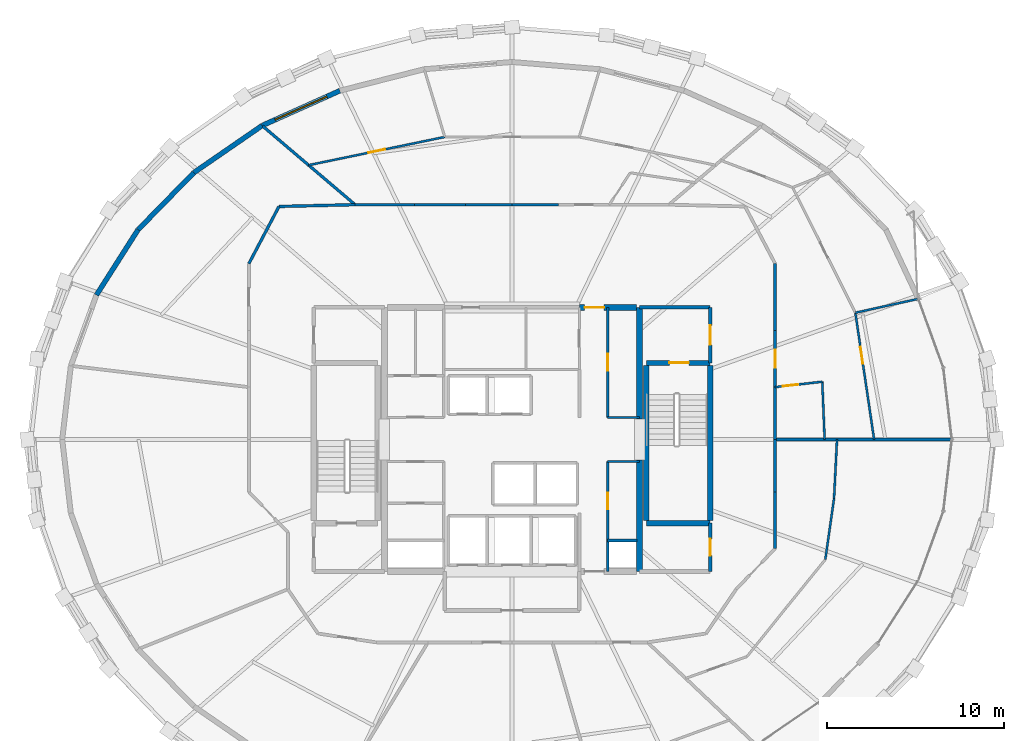
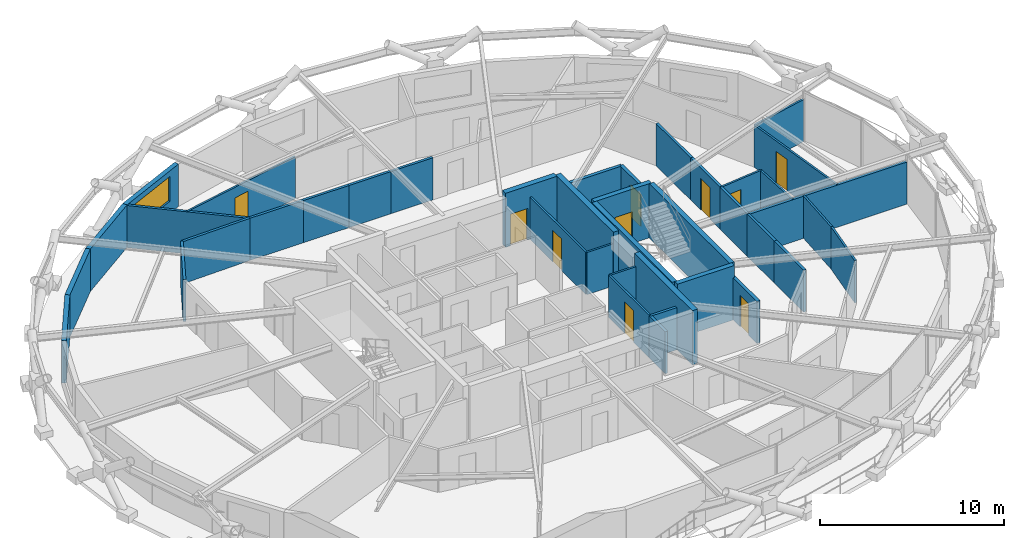
# One storey, part 14 of 16: 40 walls, 10 doors, 1 window, 11 openings.
"""IFC4 building model written with IfcOpenShell, lengths in metres."""

from ifc_helpers import new_model, si_unit, direction, frame, frame_2d, origin, place, context, subcontext, project, spatial, rectangle, extrude, material, layer, layer_set, type_object, element, fill, save


model = new_model("IFC4")

# Units and contexts
model_context = context("Model", 3, precision=1e-05, world=origin(), true_north=direction((0.0, 1.0)))
body_context = subcontext(model_context, "Body", "Model", "MODEL_VIEW")
ifc_project = project(units=[si_unit("LENGTHUNIT", "METRE"), si_unit("AREAUNIT", "SQUARE_METRE"), si_unit("VOLUMEUNIT", "CUBIC_METRE"), si_unit("PLANEANGLEUNIT", "RADIAN"), si_unit("MASSUNIT", "GRAM", prefix="KILO")], contexts=[model_context])

# Site, building, storey
site_placement = place(None, origin())
site = spatial("IfcSite", under=ifc_project, at=site_placement, CompositionType="ELEMENT")
building_placement = place(site_placement, origin())
building = spatial("IfcBuilding", under=site, at=building_placement, Name="Veldorina Hangang Commons", CompositionType="ELEMENT")
storey_placement = place(building_placement, frame((0.0, 0.0, 185.60009765625)))
storey = spatial("IfcBuildingStorey", under=building, at=storey_placement, Name="L48", CompositionType="ELEMENT", Elevation=185.60009765625)

# Walls
ifc_material_1 = material(Name="Concrete C60/75", Category="concrete")
ifc_layer_1 = layer(ifc_material_1, 0.340087890625)
ifc_layer_set_1 = layer_set([ifc_layer_1], Name="Concrete C60/75")
wall_type_1 = type_object("IfcWallType", Name="CW-RC340-C60", PredefinedType="SHEAR", material=ifc_layer_set_1)
for number, where, z_axis, x_axis, name in (
    (1, (39.199951171875, 16.550048828125, 0.0), (0.0, 0.0, 1.0), (0.0, 1.0, 0.0), "L48 E south core shear wall"),
    (2, (39.199951171875, 25.14990234375, 0.0), (0.0, 0.0, 1.0), (0.0, 1.0, 0.0), "L48 E north core shear wall"),
):
    element("IfcWall", number, at=place(storey_placement, frame(where, z_axis=z_axis, x_axis=x_axis)), inside=storey, type_object=wall_type_1, Name=name, PredefinedType="SHEAR", context=body_context, shape_type="SweptSolid", body=[
        extrude(rectangle(XDim=6.300048828125, YDim=0.340087890625, at=frame_2d((3.14990234375, 0.0))), origin(), (0.0, 0.0, 1.0), 3.599853515625),
    ])

# Wall, opening, door
wall_1_placement = place(storey_placement, frame((35.800048828125, 31.449951171875, 0.0), z_axis=(0.0, 0.0, 1.0), x_axis=(1.0, 0.0, 0.0)))
wall_1 = element("IfcWall", 3, at=wall_1_placement, inside=storey, type_object=wall_type_1, Name="L48 north-east core shear wall", PredefinedType="SHEAR", context=body_context, shape_type="SweptSolid", body=[
    extrude(rectangle(XDim=3.22998046875, YDim=0.340087890625, at=frame_2d((1.614990234375, 0.0))), origin(), (0.0, 0.0, 1.0), 3.599853515625),
])
opening_1_placement = place(wall_1_placement, frame((0.300048828125, 0.0, 0.0)))
opening_1 = element("IfcOpeningElement", 4, at=opening_1_placement, cuts=wall_1, Name="Opening D-08", PredefinedType="OPENING", context=body_context, shape_type="SweptSolid", body=[
    extrude(rectangle(XDim=1.10009765625, YDim=2.10009765625, at=frame_2d((0.550048828125, 1.050048828125))), frame((0.0, 0.18017578125, 0.0), z_axis=(0.0, -1.0, 0.0), x_axis=(1.0, 0.0, 0.0)), (0.0, 0.0, 1.0), 0.360107421875),
])
ifc_material_2 = material(Name="Steel Fire-Rated Smoke Seal", Category="steel")
door_type_1 = type_object("IfcDoorType", Name="DR-FIRE-1100", OperationType="SINGLE_SWING_RIGHT", PredefinedType="DOOR", material=ifc_material_2)
door_1_placement = place(opening_1_placement, origin())
door_1 = element("IfcDoor", 5, at=door_1_placement, inside=storey, type_object=door_type_1, Name="L48 central lift lobby north corridor door", OperationType="SINGLE_SWING_LEFT", OverallHeight=2.10009765625, OverallWidth=1.10009765625, PredefinedType="DOOR", context=body_context, shape_type="SweptSolid", body=[
    extrude(rectangle(XDim=1.10009765625, YDim=2.10009765625, at=frame_2d((0.550048828125, 1.050048828125))), frame((0.0, 0.02490234375, 0.0), z_axis=(0.0, -1.0, 0.0), x_axis=(1.0, 0.0, 0.0)), (0.0, 0.0, 1.0), 0.050048828125),
])
fill(opening_1, door_1)

# Wall, opening, window
ifc_material_3 = material(Name="Stone Roman Travertine", Category="masonry")
ifc_layer_2 = layer(ifc_material_3, 0.280029296875)
ifc_layer_set_2 = layer_set([ifc_layer_2], Name="Stone Roman Travertine")
wall_type_2 = type_object("IfcWallType", Name="EW-TRAV-280", PredefinedType="STANDARD", material=ifc_layer_set_2)
wall_2_placement = place(storey_placement, frame((22.2861328125, 43.681884765625, 0.0), z_axis=(0.0, 0.0, 1.0), x_axis=(-0.91240998906, -0.409277426525, 0.0)))
wall_2 = element("IfcWall", 6, at=wall_2_placement, inside=storey, type_object=wall_type_2, Name="L48 travertine facade wall 10", PredefinedType="STANDARD", context=body_context, shape_type="SweptSolid", body=[
    extrude(rectangle(XDim=4.809814453125, YDim=0.280029296875, at=frame_2d((2.40478515625, 0.0))), origin(), (0.0, 0.0, 1.0), 2.81982421875),
])
opening_2_placement = place(wall_2_placement, frame((0.804931640625, 0.0, 0.800048828125)))
opening_2 = element("IfcOpeningElement", 7, at=opening_2_placement, cuts=wall_2, Name="Opening W-01", PredefinedType="OPENING", context=body_context, shape_type="SweptSolid", body=[
    extrude(rectangle(XDim=3.199951171875, YDim=1.64990234375, at=frame_2d((1.60009765625, 0.824951171875))), frame((0.0, 0.14990234375, 0.0), z_axis=(0.0, -1.0, 0.0), x_axis=(1.0, 0.0, 0.0)), (0.0, 0.0, 1.0), 0.300048828125),
])
ifc_material_4 = material(Name="Glass Low-E Triple IGU", Category="glass")
window_type = type_object("IfcWindowType", Name="WIN-TWR-3200", PartitioningType="SINGLE_PANEL", PredefinedType="WINDOW", material=ifc_material_4)
window_placement = place(opening_2_placement, origin())
window = element("IfcWindow", 8, at=window_placement, inside=storey, type_object=window_type, Name="L48 facade window 10", OverallHeight=1.64990234375, OverallWidth=3.199951171875, PartitioningType="SINGLE_PANEL", PredefinedType="WINDOW", context=body_context, shape_type="SweptSolid", body=[
    extrude(rectangle(XDim=3.199951171875, YDim=1.64990234375, at=frame_2d((1.60009765625, 0.824951171875))), frame((0.0, 0.030029296875, 0.0), z_axis=(0.0, -1.0, 0.0), x_axis=(1.0, 0.0, 0.0)), (0.0, 0.0, 1.0), 0.06005859375),
])
fill(opening_2, window)

# Walls
wall_3_placement = place(storey_placement, frame((17.897705078125, 41.71337890625, 0.0), z_axis=(0.0, 0.0, 1.0), x_axis=(-0.823542873284, -0.567254031157, 0.0)))
element("IfcWall", 9, at=wall_3_placement, inside=storey, type_object=wall_type_2, Name="L48 travertine facade wall 11", PredefinedType="STANDARD", context=body_context, shape_type="SweptSolid", body=[
    extrude(rectangle(XDim=4.670654296875, YDim=0.280029296875, at=frame_2d((2.33544921875, 0.0))), origin(), (0.0, 0.0, 1.0), 2.81982421875),
])
wall_4_placement = place(storey_placement, frame((14.05126953125, 39.06396484375, 0.0), z_axis=(0.0, 0.0, 1.0), x_axis=(-0.699140974596, -0.714983844322, 0.0)))
element("IfcWall", 10, at=wall_4_placement, inside=storey, type_object=wall_type_2, Name="L48 travertine facade wall 12", PredefinedType="STANDARD", context=body_context, shape_type="SweptSolid", body=[
    extrude(rectangle(XDim=4.51513671875, YDim=0.280029296875, at=frame_2d((2.257568359375, 0.0))), origin(), (0.0, 0.0, 1.0), 2.81982421875),
])
wall_5_placement = place(storey_placement, frame((10.89453125, 35.835693359375, 0.0), z_axis=(0.0, 0.0, 1.0), x_axis=(-0.537186580304, -0.843463441971, 0.0)))
element("IfcWall", 11, at=wall_5_placement, inside=storey, type_object=wall_type_2, Name="L48 travertine facade wall 13", PredefinedType="STANDARD", context=body_context, shape_type="SweptSolid", body=[
    extrude(rectangle(XDim=4.36669921875, YDim=0.280029296875, at=frame_2d((2.183349609375, 0.0))), origin(), (0.0, 0.0, 1.0), 2.81982421875),
])
ifc_material_5 = material(Name="Concrete C50/60", Category="concrete")
ifc_layer_3 = layer(ifc_material_5, 0.300048828125)
ifc_layer_set_3 = layer_set([ifc_layer_3], Name="Concrete C50/60")
wall_type_3 = type_object("IfcWallType", Name="SW-STAIR-300", PredefinedType="SHEAR", material=ifc_layer_set_3)
for number, where, z_axis, x_axis, name in (
    (12, (43.179931640625, 19.429931640625, 0.0), (0.0, 0.0, 1.0), (0.0, 1.0, 0.0), "L48 ST2 outer stair shear wall"),
    (13, (39.580078125, 19.429931640625, 0.0), (0.0, 0.0, 1.0), (0.0, 1.0, 0.0), "L48 ST2 inner stair shear wall"),
):
    element("IfcWall", number, at=place(storey_placement, frame(where, z_axis=z_axis, x_axis=x_axis)), inside=storey, type_object=wall_type_3, Name=name, PredefinedType="SHEAR", context=body_context, shape_type="SweptSolid", body=[
        extrude(rectangle(XDim=8.739990234375, YDim=0.300048828125, at=frame_2d((4.3701171875, 0.0))), origin(), (0.0, 0.0, 1.0), 3.599853515625),
    ])
wall_6_placement = place(storey_placement, frame((39.580078125, 19.280029296875, 0.0), z_axis=(0.0, 0.0, 1.0), x_axis=(1.0, 0.0, 0.0)))
element("IfcWall", 14, at=wall_6_placement, inside=storey, type_object=wall_type_3, Name="L48 ST2 south stair shear wall", PredefinedType="SHEAR", context=body_context, shape_type="SweptSolid", body=[
    extrude(rectangle(XDim=3.599853515625, YDim=0.300048828125, at=frame_2d((1.7998046875, 0.0))), origin(), (0.0, 0.0, 1.0), 3.599853515625),
])

# Wall, opening, door
wall_7_placement = place(storey_placement, frame((39.580078125, 28.320068359375, 0.0), z_axis=(0.0, 0.0, 1.0), x_axis=(1.0, 0.0, 0.0)))
wall_7 = element("IfcWall", 15, at=wall_7_placement, inside=storey, type_object=wall_type_3, Name="L48 ST2 north stair shear wall", PredefinedType="SHEAR", context=body_context, shape_type="SweptSolid", body=[
    extrude(rectangle(XDim=3.599853515625, YDim=0.300048828125, at=frame_2d((1.7998046875, 0.0))), origin(), (0.0, 0.0, 1.0), 3.599853515625),
])
opening_3_placement = place(wall_7_placement, frame((1.300048828125, 0.0, 0.0)))
opening_3 = element("IfcOpeningElement", 16, at=opening_3_placement, cuts=wall_7, Name="Opening D-08", PredefinedType="OPENING", context=body_context, shape_type="SweptSolid", body=[
    extrude(rectangle(XDim=1.10009765625, YDim=2.10009765625, at=frame_2d((0.550048828125, 1.050048828125))), frame((0.0, 0.16015625, 0.0), z_axis=(0.0, -1.0, 0.0), x_axis=(1.0, 0.0, 0.0)), (0.0, 0.0, 1.0), 0.320068359375),
])
door_2_placement = place(opening_3_placement, origin())
door_2 = element("IfcDoor", 17, at=door_2_placement, inside=storey, type_object=door_type_1, Name="L48 Special Escape Stair ST-2 door", OperationType="SINGLE_SWING_RIGHT", OverallHeight=2.10009765625, OverallWidth=1.10009765625, PredefinedType="DOOR", context=body_context, shape_type="SweptSolid", body=[
    extrude(rectangle(XDim=1.10009765625, YDim=2.10009765625, at=frame_2d((0.550048828125, 1.050048828125))), frame((0.0, 0.02490234375, 0.0), z_axis=(0.0, -1.0, 0.0), x_axis=(1.0, 0.0, 0.0)), (0.0, 0.0, 1.0), 0.050048828125),
])
fill(opening_3, door_2)

# Walls
ifc_material_6 = material(Name="Gypsum Fire-Rated Twin Stud Wall", Category="gypsum")
ifc_layer_4 = layer(ifc_material_6, 0.159912109375)
ifc_layer_set_4 = layer_set([ifc_layer_4], Name="Gypsum Fire-Rated Twin Stud Wall")
wall_type_4 = type_object("IfcWallType", Name="WL-FIRE-160", PredefinedType="SOLIDWALL", material=ifc_layer_set_4)
wall_8_placement = place(storey_placement, frame((37.39990234375, 16.550048828125, 0.0), z_axis=(0.0, 0.0, 1.0), x_axis=(0.0, 1.0, 0.0)))
element("IfcWall", 18, at=wall_8_placement, inside=storey, type_object=wall_type_4, Name="L48 Lift passage SE stub 010", PredefinedType="SOLIDWALL", context=body_context, shape_type="SweptSolid", body=[
    extrude(rectangle(XDim=1.75, YDim=0.159912109375, at=frame_2d((0.875, 0.0))), origin(), (0.0, 0.0, 1.0), 2.7998046875),
])
wall_9_placement = place(storey_placement, frame((37.39990234375, 18.300048828125, 0.0), z_axis=(0.0, 0.0, 1.0), x_axis=(1.0, 0.0, 0.0)))
element("IfcWall", 19, at=wall_9_placement, inside=storey, type_object=wall_type_4, Name="L48 Plumbing riser wall 037", PredefinedType="SOLIDWALL", context=body_context, shape_type="SweptSolid", body=[
    extrude(rectangle(XDim=1.650146484375, YDim=0.159912109375, at=frame_2d((0.8251953125, 0.0))), origin(), (0.0, 0.0, 1.0), 2.7998046875),
])
wall_10_placement = place(storey_placement, frame((46.85009765625, 24.0, 0.0), z_axis=(0.0, 0.0, 1.0), x_axis=(0.0, 1.0, 0.0)))
element("IfcWall", 20, at=wall_10_placement, inside=storey, type_object=wall_type_4, Name="L48 U-corridor outer wall 00 048", PredefinedType="SOLIDWALL", context=body_context, shape_type="SweptSolid", body=[
    extrude(rectangle(XDim=2.953857421875, YDim=0.159912109375, at=frame_2d((1.47705078125, 0.0))), origin(), (0.0, 0.0, 1.0), 2.7998046875),
])

# Wall, opening, door
wall_11_placement = place(storey_placement, frame((46.85009765625, 26.953857421875, 0.0), z_axis=(0.0, 0.0, 1.0), x_axis=(0.0, 1.0, 0.0)))
wall_11 = element("IfcWall", 21, at=wall_11_placement, inside=storey, type_object=wall_type_4, Name="L48 U-corridor outer wall 01 049", PredefinedType="SOLIDWALL", context=body_context, shape_type="SweptSolid", body=[
    extrude(rectangle(XDim=3.197265625, YDim=0.159912109375, at=frame_2d((1.5986328125, 0.0))), origin(), (0.0, 0.0, 1.0), 2.7998046875),
])
opening_4_placement = place(wall_11_placement, frame((1.0986328125, 0.0, 0.0)))
opening_4 = element("IfcOpeningElement", 22, at=opening_4_placement, cuts=wall_11, Name="Opening D-06", PredefinedType="OPENING", context=body_context, shape_type="SweptSolid", body=[
    extrude(rectangle(XDim=1.0, YDim=2.10009765625, at=frame_2d((0.5, 1.050048828125))), frame((0.0, 0.08984375, 0.0), z_axis=(0.0, -1.0, 0.0), x_axis=(1.0, 0.0, 0.0)), (0.0, 0.0, 1.0), 0.179931640625),
])
ifc_material_7 = material(Name="Timber Fire-Rated Entrance Core", Category="wood")
door_type_2 = type_object("IfcDoorType", Name="DR-UNIT-1000", OperationType="SINGLE_SWING_LEFT", PredefinedType="DOOR", material=ifc_material_7)
door_3_placement = place(opening_4_placement, origin())
door_3 = element("IfcDoor", 23, at=door_3_placement, inside=storey, type_object=door_type_2, Name="L48 Cluster 2 entrance door 023", OperationType="SINGLE_SWING_LEFT", OverallHeight=2.10009765625, OverallWidth=1.0, PredefinedType="DOOR", context=body_context, shape_type="SweptSolid", body=[
    extrude(rectangle(XDim=1.0, YDim=2.10009765625, at=frame_2d((0.5, 1.050048828125))), frame((0.0, 0.02490234375, 0.0), z_axis=(0.0, -1.0, 0.0), x_axis=(1.0, 0.0, 0.0)), (0.0, 0.0, 1.0), 0.050048828125),
])
fill(opening_4, door_3)

# Walls
wall_12_placement = place(storey_placement, frame((46.85009765625, 30.151123046875, 0.0), z_axis=(0.0, 0.0, 1.0), x_axis=(0.0, 1.0, 0.0)))
element("IfcWall", 24, at=wall_12_placement, inside=storey, type_object=wall_type_4, Name="L48 U-corridor outer wall 02 050", PredefinedType="SOLIDWALL", context=body_context, shape_type="SweptSolid", body=[
    extrude(rectangle(XDim=3.771484375, YDim=0.159912109375, at=frame_2d((1.8857421875, 0.0))), origin(), (0.0, 0.0, 1.0), 2.7998046875),
])
for number, where, z_axis, x_axis, name in (
    (25, (34.635498046875, 37.25, 0.0), (0.0, 0.0, 1.0), (-1.0, 0.0, 0.0), "L48 U-corridor outer wall 07 055"),
    (26, (32.0, 37.25, 0.0), (0.0, 0.0, 1.0), (-1.0, 0.0, 0.0), "L48 U-corridor outer wall 08 056"),
):
    element("IfcWall", number, at=place(storey_placement, frame(where, z_axis=z_axis, x_axis=x_axis)), inside=storey, type_object=wall_type_4, Name=name, PredefinedType="SOLIDWALL", context=body_context, shape_type="SweptSolid", body=[
        extrude(rectangle(XDim=2.635498046875, YDim=0.159912109375, at=frame_2d((1.31787109375, 0.0))), origin(), (0.0, 0.0, 1.0), 2.7998046875),
    ])
wall_13_placement = place(storey_placement, frame((29.364501953125, 37.25, 0.0), z_axis=(0.0, 0.0, 1.0), x_axis=(-1.0, 0.0, 0.0)))
element("IfcWall", 27, at=wall_13_placement, inside=storey, type_object=wall_type_4, Name="L48 U-corridor outer wall 09 057", PredefinedType="SOLIDWALL", context=body_context, shape_type="SweptSolid", body=[
    extrude(rectangle(XDim=2.852783203125, YDim=0.159912109375, at=frame_2d((1.42626953125, 0.0))), origin(), (0.0, 0.0, 1.0), 2.7998046875),
])
wall_14_placement = place(storey_placement, frame((26.51171875, 37.25, 0.0), z_axis=(0.0, 0.0, 1.0), x_axis=(-1.0, 0.0, 0.0)))
element("IfcWall", 28, at=wall_14_placement, inside=storey, type_object=wall_type_4, Name="L48 U-corridor outer wall 10 058", PredefinedType="SOLIDWALL", context=body_context, shape_type="SweptSolid", body=[
    extrude(rectangle(XDim=3.365234375, YDim=0.159912109375, at=frame_2d((1.6826171875, 0.0))), origin(), (0.0, 0.0, 1.0), 2.7998046875),
])
wall_15_placement = place(storey_placement, frame((23.146484375, 37.25, 0.0), z_axis=(0.0, 0.0, 1.0), x_axis=(-0.999728709658, -0.023291781507, 0.0)))
element("IfcWall", 29, at=wall_15_placement, inside=storey, type_object=wall_type_4, Name="L48 U-corridor outer wall 11 059", PredefinedType="SOLIDWALL", context=body_context, shape_type="SweptSolid", body=[
    extrude(rectangle(XDim=4.297607421875, YDim=0.159912109375, at=frame_2d((2.14892578125, 0.0))), origin(), (0.0, 0.0, 1.0), 2.7998046875),
])
wall_16_placement = place(storey_placement, frame((18.85009765625, 37.14990234375, 0.0), z_axis=(0.0, 0.0, 1.0), x_axis=(-0.466093963429, -0.884735224378, 0.0)))
element("IfcWall", 30, at=wall_16_placement, inside=storey, type_object=wall_type_4, Name="L48 U-corridor outer wall 12 060", PredefinedType="SOLIDWALL", context=body_context, shape_type="SweptSolid", body=[
    extrude(rectangle(XDim=3.647705078125, YDim=0.159912109375, at=frame_2d((1.82373046875, 0.0))), origin(), (0.0, 0.0, 1.0), 2.7998046875),
])
wall_17_placement = place(storey_placement, frame((46.85009765625, 17.848876953125, 0.0), z_axis=(0.0, 0.0, 1.0), x_axis=(0.0, 1.0, 0.0)))
element("IfcWall", 31, at=wall_17_placement, inside=storey, type_object=wall_type_4, Name="L48 U-corridor outer wall 30 078", PredefinedType="SOLIDWALL", context=body_context, shape_type="SweptSolid", body=[
    extrude(rectangle(XDim=3.197265625, YDim=0.159912109375, at=frame_2d((1.5986328125, 0.0))), origin(), (0.0, 0.0, 1.0), 2.7998046875),
])
wall_18_placement = place(storey_placement, frame((46.85009765625, 21.046142578125, 0.0), z_axis=(0.0, 0.0, 1.0), x_axis=(0.0, 1.0, 0.0)))
element("IfcWall", 32, at=wall_18_placement, inside=storey, type_object=wall_type_4, Name="L48 U-corridor outer wall 31 079", PredefinedType="SOLIDWALL", context=body_context, shape_type="SweptSolid", body=[
    extrude(rectangle(XDim=2.953857421875, YDim=0.159912109375, at=frame_2d((1.47705078125, 0.0))), origin(), (0.0, 0.0, 1.0), 2.7998046875),
])
wall_19_placement = place(storey_placement, frame((46.85009765625, 24.0, 0.0), z_axis=(0.0, 0.0, 1.0), x_axis=(1.0, 0.0, 0.0)))
element("IfcWall", 33, at=wall_19_placement, inside=storey, type_object=wall_type_4, Name="L48 Unit party wall 00 086", PredefinedType="SOLIDWALL", context=body_context, shape_type="SweptSolid", body=[
    extrude(rectangle(XDim=9.92333984375, YDim=0.159912109375, at=frame_2d((4.961669921875, 0.0))), origin(), (0.0, 0.0, 1.0), 2.7998046875),
])
wall_20_placement = place(storey_placement, frame((23.146484375, 37.25, 0.0), z_axis=(0.0, 0.0, 1.0), x_axis=(-0.761808080293, 0.647802785421, 0.0)))
element("IfcWall", 34, at=wall_20_placement, inside=storey, type_object=wall_type_4, Name="L48 Unit party wall 11 102", PredefinedType="SOLIDWALL", context=body_context, shape_type="SweptSolid", body=[
    extrude(rectangle(XDim=6.83984375, YDim=0.159912109375, at=frame_2d((3.419921875, 0.0))), origin(), (0.0, 0.0, 1.0), 2.7998046875),
])

# Wall, opening, door
ifc_material_8 = material(Name="Concrete Blockwork Fire Wall C30/37", Category="masonry")
ifc_layer_5 = layer(ifc_material_8, 0.199951171875)
ifc_layer_set_5 = layer_set([ifc_layer_5], Name="Concrete Blockwork Fire Wall C30/37")
wall_type_5 = type_object("IfcWallType", Name="WL-FIRE-200", PredefinedType="SOLIDWALL", material=ifc_layer_set_5)
wall_21_placement = place(storey_placement, frame((43.179931640625, 28.320068359375, 0.0), z_axis=(0.0, 0.0, 1.0), x_axis=(0.0, 1.0, 0.0)))
wall_21 = element("IfcWall", 35, at=wall_21_placement, inside=storey, type_object=wall_type_5, Name="L48 East vestibule outer wall 003", PredefinedType="SOLIDWALL", context=body_context, shape_type="SweptSolid", body=[
    extrude(rectangle(XDim=3.1298828125, YDim=0.199951171875, at=frame_2d((1.56494140625, 0.0))), origin(), (0.0, 0.0, 1.0), 2.7998046875),
])
opening_5_placement = place(wall_21_placement, frame((1.014892578125, 0.0, 0.0)))
opening_5 = element("IfcOpeningElement", 36, at=opening_5_placement, cuts=wall_21, Name="Opening D-08", PredefinedType="OPENING", context=body_context, shape_type="SweptSolid", body=[
    extrude(rectangle(XDim=1.10009765625, YDim=2.10009765625, at=frame_2d((0.550048828125, 1.050048828125))), frame((0.0, 0.10986328125, 0.0), z_axis=(0.0, -1.0, 0.0), x_axis=(1.0, 0.0, 0.0)), (0.0, 0.0, 1.0), 0.219970703125),
])
door_4_placement = place(opening_5_placement, origin())
door_4 = element("IfcDoor", 37, at=door_4_placement, inside=storey, type_object=door_type_1, Name="L48 East vestibule east door 002", OperationType="SINGLE_SWING_RIGHT", OverallHeight=2.10009765625, OverallWidth=1.10009765625, PredefinedType="DOOR", context=body_context, shape_type="SweptSolid", body=[
    extrude(rectangle(XDim=1.10009765625, YDim=2.10009765625, at=frame_2d((0.550048828125, 1.050048828125))), frame((0.0, 0.02490234375, 0.0), z_axis=(0.0, -1.0, 0.0), x_axis=(1.0, 0.0, 0.0)), (0.0, 0.0, 1.0), 0.050048828125),
])
fill(opening_5, door_4)

# Wall
wall_22_placement = place(storey_placement, frame((39.199951171875, 31.449951171875, 0.0), z_axis=(0.0, 0.0, 1.0), x_axis=(1.0, 0.0, 0.0)))
element("IfcWall", 38, at=wall_22_placement, inside=storey, type_object=wall_type_5, Name="L48 East vestibule north wall 004", PredefinedType="SOLIDWALL", context=body_context, shape_type="SweptSolid", body=[
    extrude(rectangle(XDim=3.97998046875, YDim=0.199951171875, at=frame_2d((1.989990234375, 0.0))), origin(), (0.0, 0.0, 1.0), 2.7998046875),
])

# Wall, opening, door
wall_23_placement = place(storey_placement, frame((43.179931640625, 16.550048828125, 0.0), z_axis=(0.0, 0.0, 1.0), x_axis=(0.0, 1.0, 0.0)))
wall_23 = element("IfcWall", 39, at=wall_23_placement, inside=storey, type_object=wall_type_5, Name="L48 SE core room outer wall 007", PredefinedType="SOLIDWALL", context=body_context, shape_type="SweptSolid", body=[
    extrude(rectangle(XDim=2.72998046875, YDim=0.199951171875, at=frame_2d((1.364990234375, 0.0))), origin(), (0.0, 0.0, 1.0), 2.7998046875),
])
opening_6_placement = place(wall_23_placement, frame((0.889892578125, 0.0, 0.0)))
opening_6 = element("IfcOpeningElement", 40, at=opening_6_placement, cuts=wall_23, Name="Opening D-02", PredefinedType="OPENING", context=body_context, shape_type="SweptSolid", body=[
    extrude(rectangle(XDim=0.949951171875, YDim=2.10009765625, at=frame_2d((0.47509765625, 1.050048828125))), frame((0.0, 0.10986328125, 0.0), z_axis=(0.0, -1.0, 0.0), x_axis=(1.0, 0.0, 0.0)), (0.0, 0.0, 1.0), 0.219970703125),
])
ifc_material_9 = material(Name="Timber Solid Core Acoustic", Category="wood")
door_type_3 = type_object("IfcDoorType", Name="DR-INT-950", OperationType="SINGLE_SWING_LEFT", PredefinedType="DOOR", material=ifc_material_9)
door_5_placement = place(opening_6_placement, origin())
door_5 = element("IfcDoor", 41, at=door_5_placement, inside=storey, type_object=door_type_3, Name="L48 SE core WC door 004", OperationType="SINGLE_SWING_RIGHT", OverallHeight=2.10009765625, OverallWidth=0.949951171875, PredefinedType="DOOR", context=body_context, shape_type="SweptSolid", body=[
    extrude(rectangle(XDim=0.949951171875, YDim=2.10009765625, at=frame_2d((0.47509765625, 1.050048828125))), frame((0.0, 0.02490234375, 0.0), z_axis=(0.0, -1.0, 0.0), x_axis=(1.0, 0.0, 0.0)), (0.0, 0.0, 1.0), 0.050048828125),
])
fill(opening_6, door_5)

ifc_material_10 = material(Name="Gypsum Acoustic Stud Partition", Category="gypsum")
ifc_layer_6 = layer(ifc_material_10, 0.1201171875)
ifc_layer_set_6 = layer_set([ifc_layer_6], Name="Gypsum Acoustic Stud Partition")
wall_type_6 = type_object("IfcWallType", Name="WL-PART-120", PredefinedType="PARTITIONING", material=ifc_layer_set_6)
wall_24_placement = place(storey_placement, frame((37.39990234375, 25.25, 0.0), z_axis=(0.0, 0.0, 1.0), x_axis=(0.0, 1.0, 0.0)))
wall_24 = element("IfcWall", 42, at=wall_24_placement, inside=storey, type_object=wall_type_6, Name="L48 NE strip lobby wall 041", PredefinedType="PARTITIONING", context=body_context, shape_type="SweptSolid", body=[
    extrude(rectangle(XDim=6.199951171875, YDim=0.1201171875, at=frame_2d((3.10009765625, 0.0))), origin(), (0.0, 0.0, 1.0), 2.7998046875),
])
opening_7_placement = place(wall_24_placement, frame((2.625, 0.0, 0.0)))
opening_7 = element("IfcOpeningElement", 43, at=opening_7_placement, cuts=wall_24, Name="Opening D-02", PredefinedType="OPENING", context=body_context, shape_type="SweptSolid", body=[
    extrude(rectangle(XDim=0.949951171875, YDim=2.10009765625, at=frame_2d((0.47509765625, 1.050048828125))), frame((0.0, 0.070068359375, 0.0), z_axis=(0.0, -1.0, 0.0), x_axis=(1.0, 0.0, 0.0)), (0.0, 0.0, 1.0), 0.14013671875),
])
door_6_placement = place(opening_7_placement, origin())
door_6 = element("IfcDoor", 44, at=door_6_placement, inside=storey, type_object=door_type_3, Name="L48 Switchboard door 018", OperationType="SINGLE_SWING_RIGHT", OverallHeight=2.10009765625, OverallWidth=0.949951171875, PredefinedType="DOOR", context=body_context, shape_type="SweptSolid", body=[
    extrude(rectangle(XDim=0.949951171875, YDim=2.10009765625, at=frame_2d((0.47509765625, 1.050048828125))), frame((0.0, 0.02490234375, 0.0), z_axis=(0.0, -1.0, 0.0), x_axis=(1.0, 0.0, 0.0)), (0.0, 0.0, 1.0), 0.050048828125),
])
fill(opening_7, door_6)

# Wall
wall_25_placement = place(storey_placement, frame((37.39990234375, 25.25, 0.0), z_axis=(0.0, 0.0, 1.0), x_axis=(1.0, 0.0, 0.0)))
element("IfcWall", 45, at=wall_25_placement, inside=storey, type_object=wall_type_6, Name="L48 NE strip south return wall 042", PredefinedType="PARTITIONING", context=body_context, shape_type="SweptSolid", body=[
    extrude(rectangle(XDim=1.800048828125, YDim=0.1201171875, at=frame_2d((0.89990234375, 0.0))), origin(), (0.0, 0.0, 1.0), 2.7998046875),
])

# Wall, opening, door
wall_26_placement = place(storey_placement, frame((37.39990234375, 18.300048828125, 0.0), z_axis=(0.0, 0.0, 1.0), x_axis=(0.0, 1.0, 0.0)))
wall_26 = element("IfcWall", 46, at=wall_26_placement, inside=storey, type_object=wall_type_6, Name="L48 SE strip lobby wall 043", PredefinedType="PARTITIONING", context=body_context, shape_type="SweptSolid", body=[
    extrude(rectangle(XDim=4.449951171875, YDim=0.1201171875, at=frame_2d((2.22509765625, 0.0))), origin(), (0.0, 0.0, 1.0), 2.7998046875),
])
opening_8_placement = place(wall_26_placement, frame((1.75, 0.0, 0.0)))
opening_8 = element("IfcOpeningElement", 47, at=opening_8_placement, cuts=wall_26, Name="Opening D-02", PredefinedType="OPENING", context=body_context, shape_type="SweptSolid", body=[
    extrude(rectangle(XDim=0.949951171875, YDim=2.10009765625, at=frame_2d((0.47509765625, 1.050048828125))), frame((0.0, 0.070068359375, 0.0), z_axis=(0.0, -1.0, 0.0), x_axis=(1.0, 0.0, 0.0)), (0.0, 0.0, 1.0), 0.14013671875),
])
door_7_placement = place(opening_8_placement, origin())
door_7 = element("IfcDoor", 48, at=door_7_placement, inside=storey, type_object=door_type_3, Name="L48 Telemetry door 019", OperationType="SINGLE_SWING_LEFT", OverallHeight=2.10009765625, OverallWidth=0.949951171875, PredefinedType="DOOR", context=body_context, shape_type="SweptSolid", body=[
    extrude(rectangle(XDim=0.949951171875, YDim=2.10009765625, at=frame_2d((0.47509765625, 1.050048828125))), frame((0.0, 0.02490234375, 0.0), z_axis=(0.0, -1.0, 0.0), x_axis=(1.0, 0.0, 0.0)), (0.0, 0.0, 1.0), 0.050048828125),
])
fill(opening_8, door_7)

# Walls
wall_27_placement = place(storey_placement, frame((37.39990234375, 22.75, 0.0), z_axis=(0.0, 0.0, 1.0), x_axis=(1.0, 0.0, 0.0)))
element("IfcWall", 49, at=wall_27_placement, inside=storey, type_object=wall_type_6, Name="L48 SE strip north return wall 044", PredefinedType="PARTITIONING", context=body_context, shape_type="SweptSolid", body=[
    extrude(rectangle(XDim=1.800048828125, YDim=0.1201171875, at=frame_2d((0.89990234375, 0.0))), origin(), (0.0, 0.0, 1.0), 2.7998046875),
])
wall_28_placement = place(storey_placement, frame((49.67919921875, 17.223388671875, 0.0), z_axis=(0.0, 0.0, 1.0), x_axis=(0.142247395577, 0.989831136332, 0.0)))
element("IfcWall", 50, at=wall_28_placement, inside=storey, type_object=wall_type_6, Name="L48 Lounge alcove split 3 084", PredefinedType="PARTITIONING", context=body_context, shape_type="SweptSolid", body=[
    extrude(rectangle(XDim=3.4755859375, YDim=0.1201171875, at=frame_2d((1.73779296875, 0.0))), origin(), (0.0, 0.0, 1.0), 2.7998046875),
])
wall_29_placement = place(storey_placement, frame((50.173583984375, 20.66357421875, 0.0), z_axis=(0.0, 0.0, 1.0), x_axis=(0.050061547069, 0.998746134663, 0.0)))
element("IfcWall", 51, at=wall_29_placement, inside=storey, type_object=wall_type_6, Name="L48 Lounge alcove split 4 085", PredefinedType="PARTITIONING", context=body_context, shape_type="SweptSolid", body=[
    extrude(rectangle(XDim=3.340576171875, YDim=0.1201171875, at=frame_2d((1.67041015625, 0.0))), origin(), (0.0, 0.0, 1.0), 2.7998046875),
])
wall_30_placement = place(storey_placement, frame((49.642578125, 24.0, 0.0), z_axis=(0.0, 0.0, 1.0), x_axis=(-0.040930249188, 0.999162006234, 0.0)))
element("IfcWall", 52, at=wall_30_placement, inside=storey, type_object=wall_type_6, Name="L48 Cluster 2 bath front wall 087", PredefinedType="PARTITIONING", context=body_context, shape_type="SweptSolid", body=[
    extrude(rectangle(XDim=3.2626953125, YDim=0.1201171875, at=frame_2d((1.63134765625, 0.0))), origin(), (0.0, 0.0, 1.0), 2.7998046875),
])

# Wall, opening, door
wall_31_placement = place(storey_placement, frame((46.85009765625, 26.953857421875, 0.0), z_axis=(0.0, 0.0, 1.0), x_axis=(0.993436471774, 0.114385211239, 0.0)))
wall_31 = element("IfcWall", 53, at=wall_31_placement, inside=storey, type_object=wall_type_6, Name="L48 Cluster 2 bath side wall 088", PredefinedType="PARTITIONING", context=body_context, shape_type="SweptSolid", body=[
    extrude(rectangle(XDim=2.676513671875, YDim=0.1201171875, at=frame_2d((1.33837890625, 0.0))), origin(), (0.0, 0.0, 1.0), 2.7998046875),
])
opening_9_placement = place(wall_31_placement, frame((0.43994140625, 0.0, 0.0)))
opening_9 = element("IfcOpeningElement", 54, at=opening_9_placement, cuts=wall_31, Name="Opening D-01", PredefinedType="OPENING", context=body_context, shape_type="SweptSolid", body=[
    extrude(rectangle(XDim=0.860107421875, YDim=2.10009765625, at=frame_2d((0.43017578125, 1.050048828125))), frame((0.0, 0.070068359375, 0.0), z_axis=(0.0, -1.0, 0.0), x_axis=(1.0, 0.0, 0.0)), (0.0, 0.0, 1.0), 0.14013671875),
])
ifc_material_11 = material(Name="Timber Moisture-Resistant Core", Category="wood")
door_type_4 = type_object("IfcDoorType", Name="DR-WET-860", OperationType="SINGLE_SWING_LEFT", PredefinedType="DOOR", material=ifc_material_11)
door_8_placement = place(opening_9_placement, origin())
door_8 = element("IfcDoor", 55, at=door_8_placement, inside=storey, type_object=door_type_4, Name="L48 Cluster 2 shared bathroom door 022", OperationType="SINGLE_SWING_RIGHT", OverallHeight=2.10009765625, OverallWidth=0.860107421875, PredefinedType="DOOR", context=body_context, shape_type="SweptSolid", body=[
    extrude(rectangle(XDim=0.860107421875, YDim=2.10009765625, at=frame_2d((0.43017578125, 1.050048828125))), frame((0.0, 0.02490234375, 0.0), z_axis=(0.0, -1.0, 0.0), x_axis=(1.0, 0.0, 0.0)), (0.0, 0.0, 1.0), 0.050048828125),
])
fill(opening_9, door_8)

wall_32_placement = place(storey_placement, frame((52.43505859375, 24.0, 0.0), z_axis=(0.0, 0.0, 1.0), x_axis=(-0.146355290516, 0.989232090532, 0.0)))
wall_32 = element("IfcWall", 56, at=wall_32_placement, inside=storey, type_object=wall_type_6, Name="L48 Cluster 2 bed 1 front wall 089", PredefinedType="PARTITIONING", context=body_context, shape_type="SweptSolid", body=[
    extrude(rectangle(XDim=7.229736328125, YDim=0.1201171875, at=frame_2d((3.61474609375, 0.0))), origin(), (0.0, 0.0, 1.0), 2.7998046875),
])
opening_10_placement = place(wall_32_placement, frame((4.327880859375, 0.0, 0.0)))
opening_10 = element("IfcOpeningElement", 57, at=opening_10_placement, cuts=wall_32, Name="Opening D-02", PredefinedType="OPENING", context=body_context, shape_type="SweptSolid", body=[
    extrude(rectangle(XDim=0.949951171875, YDim=2.10009765625, at=frame_2d((0.47509765625, 1.050048828125))), frame((0.0, 0.070068359375, 0.0), z_axis=(0.0, -1.0, 0.0), x_axis=(1.0, 0.0, 0.0)), (0.0, 0.0, 1.0), 0.14013671875),
])
door_9_placement = place(opening_10_placement, origin())
door_9 = element("IfcDoor", 58, at=door_9_placement, inside=storey, type_object=door_type_3, Name="L48 Cluster 2 bed 1 door 024", OperationType="SINGLE_SWING_RIGHT", OverallHeight=2.10009765625, OverallWidth=0.949951171875, PredefinedType="DOOR", context=body_context, shape_type="SweptSolid", body=[
    extrude(rectangle(XDim=0.949951171875, YDim=2.10009765625, at=frame_2d((0.47509765625, 1.050048828125))), frame((0.0, 0.02490234375, 0.0), z_axis=(0.0, -1.0, 0.0), x_axis=(1.0, 0.0, 0.0)), (0.0, 0.0, 1.0), 0.050048828125),
])
fill(opening_10, door_9)

# Wall
wall_33_placement = place(storey_placement, frame((51.376953125, 31.15185546875, 0.0), z_axis=(0.0, 0.0, 1.0), x_axis=(0.976418342739, 0.215887053718, 0.0)))
element("IfcWall", 59, at=wall_33_placement, inside=storey, type_object=wall_type_6, Name="L48 Cluster 2 bed divider 1 091", PredefinedType="PARTITIONING", context=body_context, shape_type="SweptSolid", body=[
    extrude(rectangle(XDim=3.5927734375, YDim=0.1201171875, at=frame_2d((1.79638671875, 0.0))), origin(), (0.0, 0.0, 1.0), 2.7998046875),
])

# Wall, opening, door
wall_34_placement = place(storey_placement, frame((28.206298828125, 41.072265625, 0.0), z_axis=(0.0, 0.0, 1.0), x_axis=(-0.979241044983, -0.202699225013, 0.0)))
wall_34 = element("IfcWall", 60, at=wall_34_placement, inside=storey, type_object=wall_type_6, Name="L48 Cluster 3 bed 3 front wall 100", PredefinedType="PARTITIONING", context=body_context, shape_type="SweptSolid", body=[
    extrude(rectangle(XDim=7.846923828125, YDim=0.1201171875, at=frame_2d((3.92333984375, 0.0))), origin(), (0.0, 0.0, 1.0), 2.7998046875),
])
opening_11_placement = place(wall_34_placement, frame((3.448486328125, 0.0, 0.0)))
opening_11 = element("IfcOpeningElement", 61, at=opening_11_placement, cuts=wall_34, Name="Opening D-02", PredefinedType="OPENING", context=body_context, shape_type="SweptSolid", body=[
    extrude(rectangle(XDim=0.949951171875, YDim=2.10009765625, at=frame_2d((0.47509765625, 1.050048828125))), frame((0.0, 0.070068359375, 0.0), z_axis=(0.0, -1.0, 0.0), x_axis=(1.0, 0.0, 0.0)), (0.0, 0.0, 1.0), 0.14013671875),
])
door_10_placement = place(opening_11_placement, origin())
door_10 = element("IfcDoor", 62, at=door_10_placement, inside=storey, type_object=door_type_3, Name="L48 Cluster 3 bed 3 door 031", OperationType="SINGLE_SWING_LEFT", OverallHeight=2.10009765625, OverallWidth=0.949951171875, PredefinedType="DOOR", context=body_context, shape_type="SweptSolid", body=[
    extrude(rectangle(XDim=0.949951171875, YDim=2.10009765625, at=frame_2d((0.47509765625, 1.050048828125))), frame((0.0, 0.02490234375, 0.0), z_axis=(0.0, -1.0, 0.0), x_axis=(1.0, 0.0, 0.0)), (0.0, 0.0, 1.0), 0.050048828125),
])
fill(opening_11, door_10)

save(model, "model.ifc")
